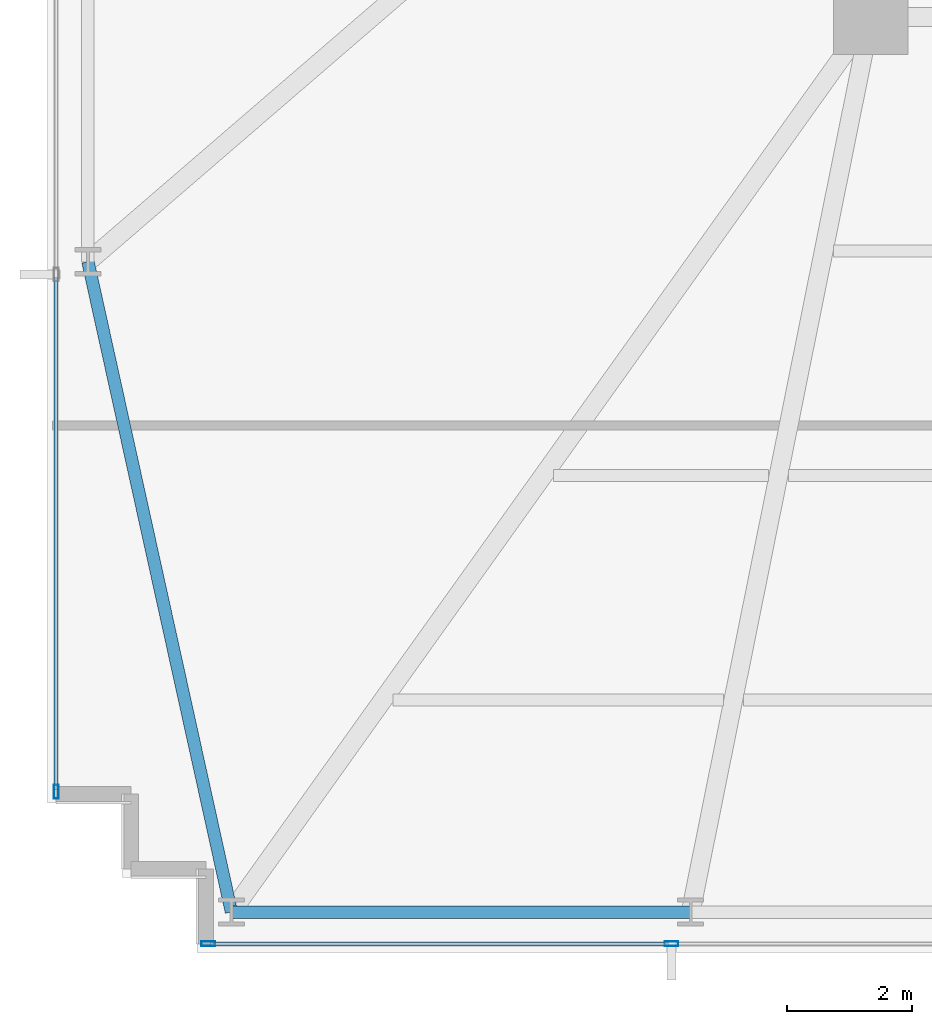
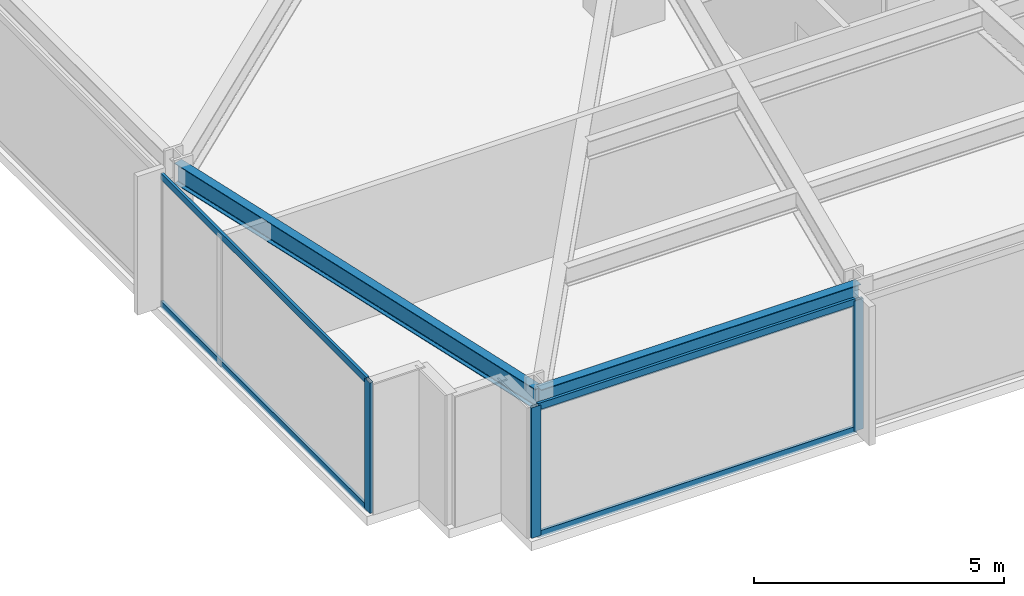
# One storey, part 2 of 32: 7 members, 2 beams, 2 elements without a shape of their own.
"""IFC4 building model written with IfcOpenShell, lengths in metres."""

from ifc_helpers import new_model, si_unit, direction, frame, origin, origin_2d, place, context, subcontext, project, spatial, hollow_rectangle, i_section, extrude, material, material_profile, profile_set, type_object, element, aggregate, save


model = new_model("IFC4")

# Units and contexts
model_context = context("Model", 3, precision=1e-05, world=origin(), true_north=direction((0.0, 1.0)))
body_context = subcontext(model_context, "Body", "Model", "MODEL_VIEW")
ifc_project = project(units=[si_unit("LENGTHUNIT", "METRE"), si_unit("AREAUNIT", "SQUARE_METRE"), si_unit("VOLUMEUNIT", "CUBIC_METRE"), si_unit("PLANEANGLEUNIT", "RADIAN"), si_unit("MASSUNIT", "GRAM", prefix="KILO")], contexts=[model_context])

# Site, building, storey
site_placement = place(None, origin())
site = spatial("IfcSite", under=ifc_project, at=site_placement, CompositionType="ELEMENT")
building_placement = place(site_placement, origin())
building = spatial("IfcBuilding", under=site, at=building_placement, Name="Yelkora Congress Tower", CompositionType="ELEMENT")
storey_placement = place(building_placement, frame((0.0, 0.0, 33.800048828125)))
storey = spatial("IfcBuildingStorey", under=building, at=storey_placement, Name="L07", CompositionType="ELEMENT", Elevation=33.800048828125)

# Beams
ifc_material_1 = material(Name="Steel S355J2", Category="steel")
ifc_material_profile_1 = material_profile(ifc_material_1, i_section(OverallWidth=0.199951171875, OverallDepth=0.5, WebThickness=0.01025390625, FlangeThickness=0.01611328125, FilletRadius=0.02099609375, at=origin_2d()), Name="IPE 500")
ifc_profile_set_1 = profile_set([ifc_material_profile_1], Name="Steel S355J2")
beam_type = type_object("IfcBeamType", Name="BM-SPAN-IPE500", PredefinedType="SPANDREL", material=ifc_profile_set_1)
beam_1_placement = place(storey_placement, frame((6.64990234375, 21.27490234375, 2.929931640625), z_axis=(0.215450706142, -0.976514717361, 0.0), x_axis=(0.976514717361, 0.215450706142, 0.0)))
element("IfcBeam", 1, at=beam_1_placement, inside=storey, type_object=beam_type, Name="L07 Perimeter Beam 1", PredefinedType="SPANDREL", context=body_context, shape_type="SweptSolid", body=[
    extrude(i_section(OverallWidth=0.199951171875, OverallDepth=0.5, WebThickness=0.01025390625, FlangeThickness=0.01611328125, FilletRadius=0.02099609375, at=origin_2d()), origin(), (0.0, 0.0, 1.0), 10.675537109375),
])
beam_2_placement = place(storey_placement, frame((8.949951171875, 10.85009765625, 2.929931640625), z_axis=(1.0, 0.0, 0.0), x_axis=(0.0, 1.0, 0.0)))
element("IfcBeam", 2, at=beam_2_placement, inside=storey, type_object=beam_type, Name="L07 Perimeter Beam 2", PredefinedType="SPANDREL", context=body_context, shape_type="SweptSolid", body=[
    extrude(i_section(OverallWidth=0.199951171875, OverallDepth=0.5, WebThickness=0.01025390625, FlangeThickness=0.01611328125, FilletRadius=0.02099609375, at=origin_2d()), origin(), (0.0, 0.0, 1.0), 7.362548828125),
])

# Curtain wall, member
ifc_material_2 = material(Name="Anodised aluminium and insulated glass", Category="aluminium")
curtain_wall_type = type_object("IfcCurtainWallType", Name="CW-SYS-B1", PredefinedType="NOTDEFINED", material=ifc_material_2)
curtain_wall_1_placement = place(storey_placement, origin())
curtain_wall_1 = element("IfcCurtainWall", 3, at=curtain_wall_1_placement, inside=storey, type_object=curtain_wall_type, Name="L07 Unitised Curtain Wall 5", PredefinedType="NOTDEFINED")
ifc_material_3 = material(Name="Anodised aluminium 6063-T6", Category="aluminium")
ifc_material_profile_2 = material_profile(ifc_material_3, hollow_rectangle(XDim=0.074951171875, YDim=0.219970703125, WallThickness=0.0048828125, at=origin_2d()), Name="ALU 75x220x5")
ifc_profile_set_2 = profile_set([ifc_material_profile_2], Name="Anodised aluminium 6063-T6")
member_type_1 = type_object("IfcMemberType", Name="MEM-ML-B1", PredefinedType="MULLION", material=ifc_profile_set_2)
member_1_placement = place(storey_placement, frame((6.139892578125, 12.777587890625, 0.0), z_axis=(0.0, 0.0, 1.0), x_axis=(-1.0, 0.0, 0.0)))
member_1 = element("IfcMember", 4, at=member_1_placement, type_object=member_type_1, Name="CW-B1 mullion 1", PredefinedType="MULLION", context=body_context, shape_type="SweptSolid", body=[
    extrude(hollow_rectangle(XDim=0.074951171875, YDim=0.219970703125, WallThickness=0.0048828125, at=origin_2d()), origin(), (0.0, 0.0, 1.0), 3.179931640625),
])

# Curtain wall, members
curtain_wall_2_placement = place(storey_placement, origin())
curtain_wall_2 = element("IfcCurtainWall", 5, at=curtain_wall_2_placement, inside=storey, type_object=curtain_wall_type, Name="L07 Unitised Curtain Wall 20", PredefinedType="NOTDEFINED")
member_2_placement = place(storey_placement, frame((16.0048828125, 10.340087890625, 0.0), z_axis=(0.0, 0.0, 1.0), x_axis=(0.0, -1.0, 0.0)))
member_2 = element("IfcMember", 6, at=member_2_placement, type_object=member_type_1, Name="CW-B1 mullion 8", PredefinedType="MULLION", context=body_context, shape_type="SweptSolid", body=[
    extrude(hollow_rectangle(XDim=0.074951171875, YDim=0.219970703125, WallThickness=0.0048828125, at=origin_2d()), origin(), (0.0, 0.0, 1.0), 3.179931640625),
])
member_3_placement = place(storey_placement, frame((8.577392578125, 10.340087890625, 0.0), z_axis=(0.0, 0.0, 1.0), x_axis=(0.0, -1.0, 0.0)))
member_3 = element("IfcMember", 7, at=member_3_placement, type_object=member_type_1, Name="CW-B1 mullion 9", PredefinedType="MULLION", context=body_context, shape_type="SweptSolid", body=[
    extrude(hollow_rectangle(XDim=0.074951171875, YDim=0.219970703125, WallThickness=0.0048828125, at=origin_2d()), origin(), (0.0, 0.0, 1.0), 3.179931640625),
])

# Member
ifc_material_profile_3 = material_profile(ifc_material_3, hollow_rectangle(XDim=0.06494140625, YDim=0.159912109375, WallThickness=0.00390625, at=origin_2d()), Name="ALU 65x160x4")
ifc_profile_set_3 = profile_set([ifc_material_profile_3], Name="Anodised aluminium 6063-T6")
member_type_2 = type_object("IfcMemberType", Name="MEM-TR-B1", PredefinedType="USERDEFINED", material=ifc_profile_set_3)
member_4_placement = place(storey_placement, frame((6.139892578125, 12.81494140625, 0.032470703125), z_axis=(0.0, 1.0, 0.0), x_axis=(-1.0, 0.0, 0.0)))
member_4 = element("IfcMember", 8, at=member_4_placement, type_object=member_type_2, Name="CW-B1 transom 1.1", ObjectType="TRANSOM", PredefinedType="USERDEFINED", context=body_context, shape_type="SweptSolid", body=[
    extrude(hollow_rectangle(XDim=0.06494140625, YDim=0.159912109375, WallThickness=0.00390625, at=origin_2d()), origin(), (0.0, 0.0, 1.0), 8.217529296875),
])

member_5_placement = place(storey_placement, frame((6.139892578125, 12.81494140625, 3.1474609375), z_axis=(0.0, 1.0, 0.0), x_axis=(-1.0, 0.0, 0.0)))
member_5 = element("IfcMember", 9, at=member_5_placement, type_object=member_type_2, Name="CW-B1 transom 1.2", ObjectType="TRANSOM", PredefinedType="USERDEFINED", context=body_context, shape_type="SweptSolid", body=[
    extrude(hollow_rectangle(XDim=0.06494140625, YDim=0.159912109375, WallThickness=0.00390625, at=origin_2d()), origin(), (0.0, 0.0, 1.0), 8.217529296875),
])

aggregate(curtain_wall_1, [member_1, member_4, member_5])

member_6_placement = place(storey_placement, frame((15.967529296875, 10.340087890625, 0.032470703125), z_axis=(-1.0, 0.0, 0.0), x_axis=(0.0, -1.0, 0.0)))
member_6 = element("IfcMember", 10, at=member_6_placement, type_object=member_type_2, Name="CW-B1 transom 8.1", ObjectType="TRANSOM", PredefinedType="USERDEFINED", context=body_context, shape_type="SweptSolid", body=[
    extrude(hollow_rectangle(XDim=0.06494140625, YDim=0.159912109375, WallThickness=0.00390625, at=origin_2d()), origin(), (0.0, 0.0, 1.0), 7.3525390625),
])

member_7_placement = place(storey_placement, frame((15.967529296875, 10.340087890625, 3.1474609375), z_axis=(-1.0, 0.0, 0.0), x_axis=(0.0, -1.0, 0.0)))
member_7 = element("IfcMember", 11, at=member_7_placement, type_object=member_type_2, Name="CW-B1 transom 8.2", ObjectType="TRANSOM", PredefinedType="USERDEFINED", context=body_context, shape_type="SweptSolid", body=[
    extrude(hollow_rectangle(XDim=0.06494140625, YDim=0.159912109375, WallThickness=0.00390625, at=origin_2d()), origin(), (0.0, 0.0, 1.0), 7.3525390625),
])

aggregate(curtain_wall_2, [member_2, member_3, member_6, member_7])

save(model, "model.ifc")
